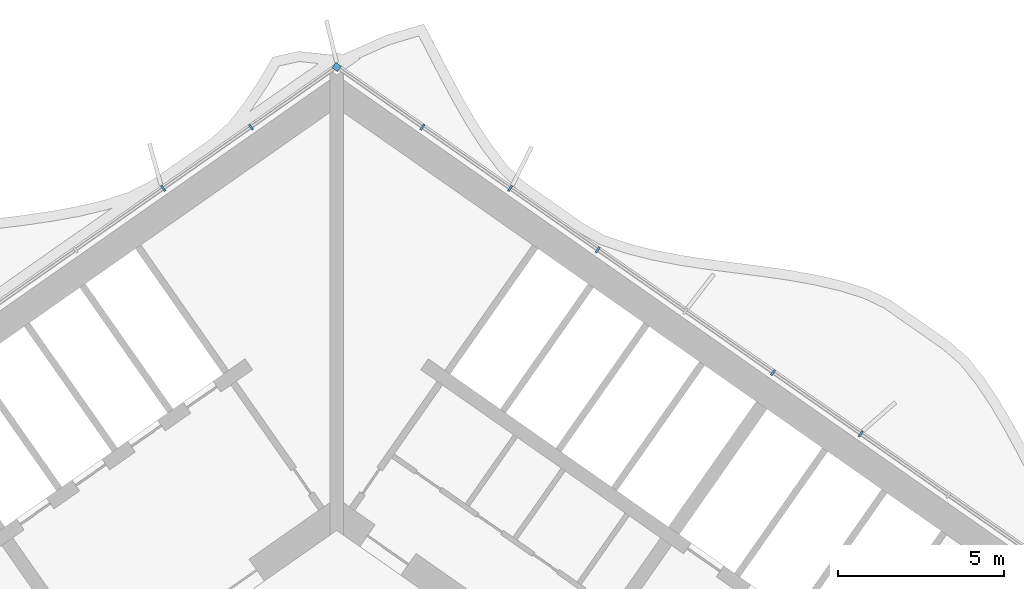
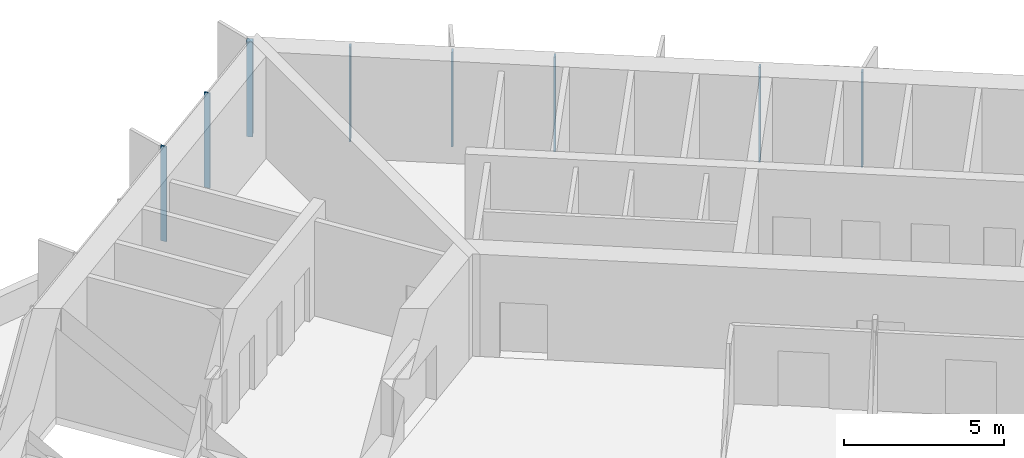
# One storey, part 9 of 23: 8 members, 1 element without a shape of its own.
"""IFC4 building model written with IfcOpenShell, lengths in metres."""

from ifc_helpers import new_model, si_unit, direction, frame, origin, origin_2d, place, context, subcontext, project, spatial, rectangle, extrude, material, material_profile, profile_set, type_object, element, aggregate, save


model = new_model("IFC4")

# Units and contexts
model_context = context("Model", 3, precision=1e-05, world=origin(), true_north=direction((0.0, 1.0)))
body_context = subcontext(model_context, "Body", "Model", "MODEL_VIEW")
ifc_project = project(units=[si_unit("LENGTHUNIT", "METRE"), si_unit("AREAUNIT", "SQUARE_METRE"), si_unit("VOLUMEUNIT", "CUBIC_METRE"), si_unit("PLANEANGLEUNIT", "RADIAN"), si_unit("MASSUNIT", "GRAM", prefix="KILO")], contexts=[model_context])

# Site, building, storey
site_placement = place(None, origin())
site = spatial("IfcSite", under=ifc_project, at=site_placement, CompositionType="ELEMENT")
building_placement = place(site_placement, origin())
building = spatial("IfcBuilding", under=site, at=building_placement, Name="Tel Ilan Convention Tower", CompositionType="ELEMENT")
storey_placement = place(building_placement, frame((0.0, 0.0, 198.300048828125)))
storey = spatial("IfcBuildingStorey", under=building, at=storey_placement, Name="L46", CompositionType="ELEMENT", Elevation=198.300048828125)

# Curtain wall, members
ifc_material_1 = material(Name="Aluminium, bronze anodised", Category="aluminium")
curtain_wall_type = type_object("IfcCurtainWallType", Name="CW2 STICK CURTAIN WALL, SPANDREL PANELS", PredefinedType="NOTDEFINED", material=ifc_material_1)
curtain_wall_placement = place(storey_placement, origin())
curtain_wall = element("IfcCurtainWall", 1, at=curtain_wall_placement, inside=storey, type_object=curtain_wall_type, Name="Curtain wall CW2-36.01", PredefinedType="NOTDEFINED")
ifc_material_2 = material(Name="Aluminium, bronze anodised", Category="aluminium")
ifc_material_profile_1 = material_profile(ifc_material_2, rectangle(XDim=0.199951171875, YDim=0.199951171875, at=origin_2d()), Name="CW CORNER MULLION 200x200")
ifc_profile_set_1 = profile_set([ifc_material_profile_1], Name="Aluminium, bronze anodised")
member_type_1 = type_object("IfcMemberType", Name="CW CORNER MULLION 200x200", PredefinedType="MULLION", material=ifc_profile_set_1)
member_1_placement = place(storey_placement, frame((0.0, 12.696044921875, 0.0), z_axis=(0.0, 0.0, 1.0), x_axis=(-0.819152044289, 0.573576436351, 0.0)))
member_1 = element("IfcMember", 2, at=member_1_placement, type_object=member_type_1, Name="Corner mullion", PredefinedType="MULLION", context=body_context, shape_type="SweptSolid", body=[
    extrude(rectangle(XDim=0.199951171875, YDim=0.199951171875, at=origin_2d()), origin(), (0.0, 0.0, 1.0), 3.619873046875),
])
ifc_material_3 = material(Name="Aluminium, bronze anodised", Category="aluminium")
ifc_material_profile_2 = material_profile(ifc_material_3, rectangle(XDim=0.06005859375, YDim=0.199951171875, at=origin_2d()), Name="CW MULLION 60x200")
ifc_profile_set_2 = profile_set([ifc_material_profile_2], Name="Aluminium, bronze anodised")
member_type_2 = type_object("IfcMemberType", Name="CW MULLION 60x200", PredefinedType="MULLION", material=ifc_profile_set_2)
member_2_placement = place(storey_placement, frame((15.73828125, 1.676025390625, 0.0), z_axis=(0.0, 0.0, 1.0), x_axis=(-0.819152044289, 0.573576436351, 0.0)))
member_2 = element("IfcMember", 3, at=member_2_placement, type_object=member_type_2, Name="Mullion", PredefinedType="MULLION", context=body_context, shape_type="SweptSolid", body=[
    extrude(rectangle(XDim=0.06005859375, YDim=0.199951171875, at=origin_2d()), origin(), (0.0, 0.0, 1.0), 3.619873046875),
])
member_3_placement = place(storey_placement, frame((13.105712890625, 3.519287109375, 0.0), z_axis=(0.0, 0.0, 1.0), x_axis=(-0.819152044289, 0.573576436351, 0.0)))
member_3 = element("IfcMember", 4, at=member_3_placement, type_object=member_type_2, Name="Mullion", PredefinedType="MULLION", context=body_context, shape_type="SweptSolid", body=[
    extrude(rectangle(XDim=0.06005859375, YDim=0.199951171875, at=origin_2d()), origin(), (0.0, 0.0, 1.0), 3.619873046875),
])
member_4_placement = place(storey_placement, frame((7.840576171875, 7.2060546875, 0.0), z_axis=(0.0, 0.0, 1.0), x_axis=(-0.819152044289, 0.573576436351, 0.0)))
member_4 = element("IfcMember", 5, at=member_4_placement, type_object=member_type_2, Name="Mullion", PredefinedType="MULLION", context=body_context, shape_type="SweptSolid", body=[
    extrude(rectangle(XDim=0.06005859375, YDim=0.199951171875, at=origin_2d()), origin(), (0.0, 0.0, 1.0), 3.619873046875),
])
member_5_placement = place(storey_placement, frame((5.207763671875, 9.049560546875, 0.0), z_axis=(0.0, 0.0, 1.0), x_axis=(-0.819152044289, 0.573576436351, 0.0)))
member_5 = element("IfcMember", 6, at=member_5_placement, type_object=member_type_2, Name="Mullion", PredefinedType="MULLION", context=body_context, shape_type="SweptSolid", body=[
    extrude(rectangle(XDim=0.06005859375, YDim=0.199951171875, at=origin_2d()), origin(), (0.0, 0.0, 1.0), 3.619873046875),
])
member_6_placement = place(storey_placement, frame((2.5751953125, 10.892822265625, 0.0), z_axis=(0.0, 0.0, 1.0), x_axis=(-0.819152044289, 0.573576436351, 0.0)))
member_6 = element("IfcMember", 7, at=member_6_placement, type_object=member_type_2, Name="Mullion", PredefinedType="MULLION", context=body_context, shape_type="SweptSolid", body=[
    extrude(rectangle(XDim=0.06005859375, YDim=0.199951171875, at=origin_2d()), origin(), (0.0, 0.0, 1.0), 3.619873046875),
])
member_7_placement = place(storey_placement, frame((-2.5751953125, 10.892822265625, 0.0), z_axis=(0.0, 0.0, 1.0), x_axis=(-0.819152044289, -0.573576436351, 0.0)))
member_7 = element("IfcMember", 8, at=member_7_placement, type_object=member_type_2, Name="Mullion", PredefinedType="MULLION", context=body_context, shape_type="SweptSolid", body=[
    extrude(rectangle(XDim=0.06005859375, YDim=0.199951171875, at=origin_2d()), origin(), (0.0, 0.0, 1.0), 3.619873046875),
])
member_8_placement = place(storey_placement, frame((-5.207763671875, 9.049560546875, 0.0), z_axis=(0.0, 0.0, 1.0), x_axis=(-0.819152044289, -0.573576436351, 0.0)))
member_8 = element("IfcMember", 9, at=member_8_placement, type_object=member_type_2, Name="Mullion", PredefinedType="MULLION", context=body_context, shape_type="SweptSolid", body=[
    extrude(rectangle(XDim=0.06005859375, YDim=0.199951171875, at=origin_2d()), origin(), (0.0, 0.0, 1.0), 3.619873046875),
])
aggregate(curtain_wall, [member_2, member_3, member_4, member_5, member_6, member_1, member_7, member_8])

save(model, "model.ifc")
